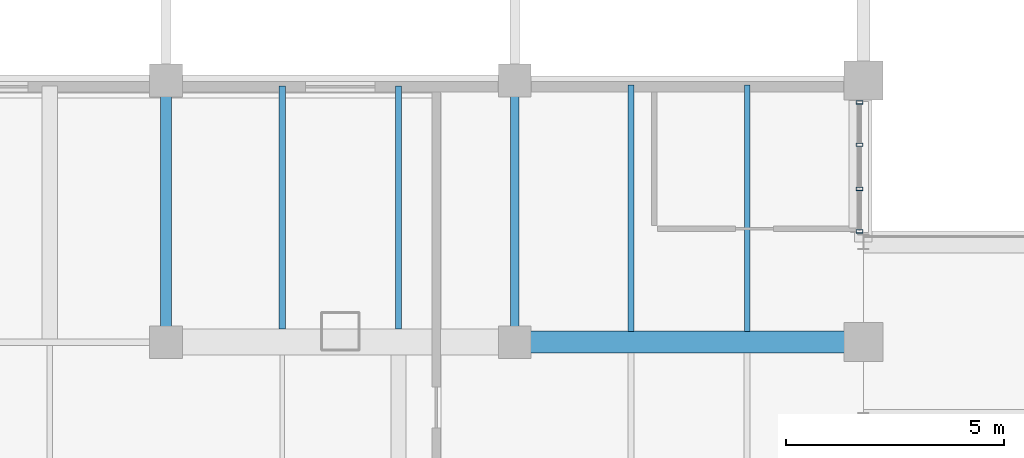
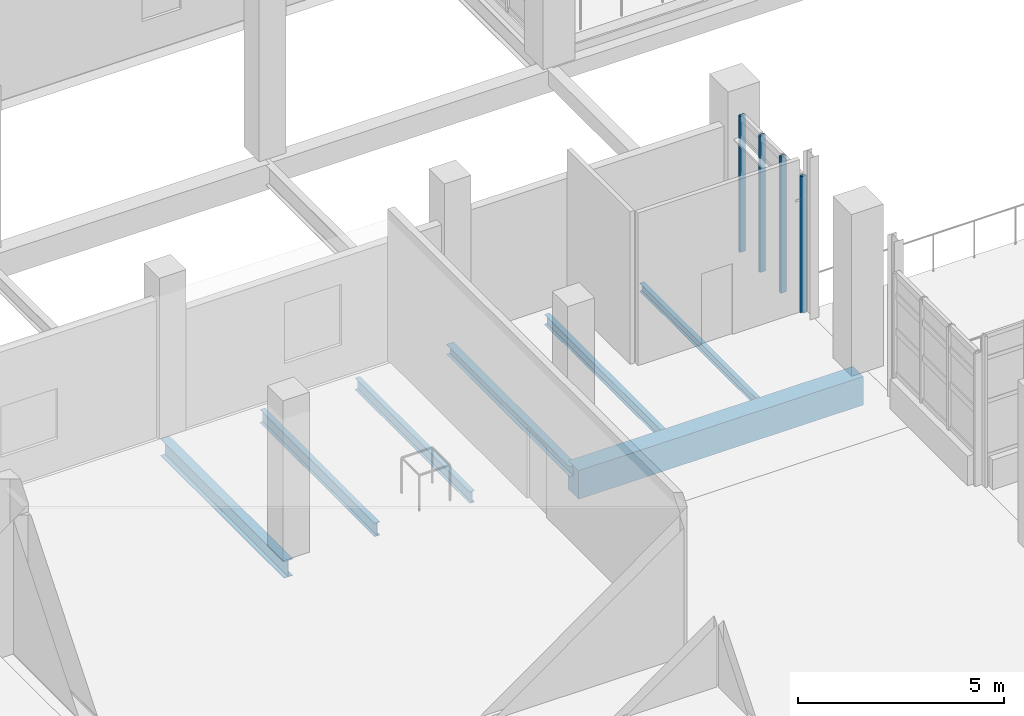
# One storey, part 28 of 127: 7 beams, 4 members, 1 element without a shape of its own.
"""IFC4 building model written with IfcOpenShell, lengths in metres."""

import ifcopenshell
import ifcopenshell.guid

model = None  # the IFC model being written
_history = None  # IfcOwnerHistory: only IFC2X3 demands one
_inside = {}  # id of a spatial element -> (the spatial element, [elements in it])
_under = {}  # id of a project, library or spatial element -> (it, [spatial elements below it])
_declared = {}  # id of a project -> (the project, [libraries it declares])
_typed = {}  # id of a type object -> (the type object, [elements of that type])
_made_of = {}  # id of a material, layer set ... -> (it, [elements and type objects made of it])


def new_model(schema):
    """Start an empty IFC model of exactly this schema.

    Asked for "IFC4X3", IfcOpenShell would pick the latest addendum, in which some entities
    have other attributes; the version numbers below select the first issue.
    IFC2X3 requires an IfcOwnerHistory on every rooted entity: one is made here for all.
    """
    global model, _history
    if schema == "IFC4X3":
        model = ifcopenshell.file(schema_version=(4, 3, 0, 0))
    else:
        model = ifcopenshell.file(schema=schema)
    _inside.clear()
    _under.clear()
    _declared.clear()
    _typed.clear()
    _made_of.clear()
    _history = None
    if model.schema == "IFC2X3":
        org = make("IfcOrganization", Name="unknown")
        user = make(
            "IfcPersonAndOrganization",
            ThePerson=make("IfcPerson", FamilyName="unknown"),
            TheOrganization=org,
        )
        app = make(
            "IfcApplication",
            ApplicationDeveloper=org,
            Version="unknown",
            ApplicationFullName="unknown",
            ApplicationIdentifier="unknown",
        )
        _history = make(
            "IfcOwnerHistory",
            OwningUser=user,
            OwningApplication=app,
            ChangeAction="ADDED",
            CreationDate=0,
        )
    return model


def make(cls, **values):
    """One entity of the class cls with the attributes given. An attribute that is None is left unset."""
    return model.create_entity(
        cls, **{name: value for name, value in values.items() if value is not None}
    )


def rooted(cls, **values):
    """An entity with a GlobalId (a new one), such as an element, a storey or a relation."""
    return make(cls, GlobalId=ifcopenshell.guid.new(), OwnerHistory=_history, **values)


def si_unit(unit_type, name, prefix=None):
    """IfcSIUnit, for example si_unit("LENGTHUNIT", "METRE", prefix="MILLI")."""
    return make("IfcSIUnit", UnitType=unit_type, Prefix=prefix, Name=name)


def derived_unit(unit_type, elements):
    """IfcDerivedUnit: a product of units, each with its exponent."""
    return make(
        "IfcDerivedUnit",
        Elements=[
            make("IfcDerivedUnitElement", Unit=unit, Exponent=power)
            for unit, power in elements
        ],
        UnitType=unit_type,
    )


def assignment(units):
    """IfcUnitAssignment: the units of a project."""
    return None if units is None else make("IfcUnitAssignment", Units=units)


def point(xyz):
    """IfcCartesianPoint."""
    return None if xyz is None else make("IfcCartesianPoint", Coordinates=xyz)


def direction(xyz):
    """IfcDirection."""
    return None if xyz is None else make("IfcDirection", DirectionRatios=xyz)


def frame(location, z_axis=None, x_axis=None):
    """IfcAxis2Placement3D, a coordinate frame: its origin and axes. An axis left out is left unset."""
    return make(
        "IfcAxis2Placement3D",
        Location=point(location),
        Axis=direction(z_axis),
        RefDirection=direction(x_axis),
    )


def frame_2d(location, x_axis=None):
    """IfcAxis2Placement2D, a coordinate frame in the plane: its origin and x axis."""
    return make(
        "IfcAxis2Placement2D", Location=point(location), RefDirection=direction(x_axis)
    )


def origin():
    """The frame at (0, 0, 0) with its axes left unset."""
    return frame((0.0, 0.0, 0.0))


def origin_2d():
    """The frame at (0, 0) in the plane with its x axis left unset."""
    return frame_2d((0.0, 0.0))


def place(relative_to, where):
    """IfcLocalPlacement: puts the frame where relative to a parent placement (None: the world)."""
    return make(
        "IfcLocalPlacement", PlacementRelTo=relative_to, RelativePlacement=where
    )


def context(
    kind, dimensions, precision=None, world=None, true_north=None, identifier=None
):
    """IfcGeometricRepresentationContext, for example the 3D "Model" context."""
    return make(
        "IfcGeometricRepresentationContext",
        ContextIdentifier=identifier,
        ContextType=kind,
        CoordinateSpaceDimension=dimensions,
        Precision=precision,
        WorldCoordinateSystem=world,
        TrueNorth=true_north,
    )


def subcontext(parent, identifier, kind, view, scale=None):
    """IfcGeometricRepresentationSubContext, for example "Body" below "Model"."""
    return make(
        "IfcGeometricRepresentationSubContext",
        ContextIdentifier=identifier,
        ContextType=kind,
        ParentContext=parent,
        TargetScale=scale,
        TargetView=view,
    )


def project(units=None, contexts=None):
    """IfcProject with its units and contexts."""
    return rooted(
        "IfcProject",
        Name="project",
        RepresentationContexts=contexts,
        UnitsInContext=assignment(units),
    )


def spatial(cls, under=None, at=None, **own):
    """A site, building, storey or space (cls), placed at a placement, below another one or the project."""
    s = rooted(cls, ObjectPlacement=at, **own)
    if under is not None:
        _under.setdefault(under.id(), (under, []))[1].append(s)
    return s


def profile(cls, at=None, kind="AREA", **sizes):
    """A parametric profile (cls). Its sizes go by their IFC names, for example OverallWidth=200.0."""
    return make(cls, ProfileType=kind, Position=at, **sizes)


def rectangle(**sizes):
    """IfcRectangleProfileDef."""
    return profile("IfcRectangleProfileDef", **sizes)


def hollow_rectangle(**sizes):
    """IfcRectangleHollowProfileDef."""
    return profile("IfcRectangleHollowProfileDef", **sizes)


def i_section(**sizes):
    """IfcIShapeProfileDef."""
    return profile("IfcIShapeProfileDef", **sizes)


def extrude(swept, where, along, depth):
    """IfcExtrudedAreaSolid: the profile swept, set in the frame where, extruded along a direction by depth."""
    return make(
        "IfcExtrudedAreaSolid",
        SweptArea=swept,
        Position=where,
        ExtrudedDirection=direction(along),
        Depth=depth,
    )


def shape(context_of_items, identifier, shape_type, items):
    """IfcShapeRepresentation: the items that make up one representation, for example the "Body"."""
    return make(
        "IfcShapeRepresentation",
        ContextOfItems=context_of_items,
        RepresentationIdentifier=identifier,
        RepresentationType=shape_type,
        Items=items,
    )


def material(Name=None, Category=None):
    """IfcMaterial."""
    return make("IfcMaterial", Name=Name, Category=Category)


def layer(
    of_material, thickness, ventilated=None, Name=None, Category=None, Priority=None
):
    """IfcMaterialLayer: one layer of a wall or slab, of a material (None: an air gap)."""
    return make(
        "IfcMaterialLayer",
        Material=of_material,
        LayerThickness=thickness,
        IsVentilated=ventilated,
        Name=Name,
        Category=Category,
        Priority=Priority,
    )


def layer_set(layers, Name=None):
    """IfcMaterialLayerSet."""
    return make("IfcMaterialLayerSet", MaterialLayers=layers, LayerSetName=Name)


def material_profile(
    of_material, cross_section, Name=None, Category=None, Priority=None
):
    """IfcMaterialProfile: a cross section and its material."""
    return make(
        "IfcMaterialProfile",
        Name=Name,
        Material=of_material,
        Profile=cross_section,
        Priority=Priority,
        Category=Category,
    )


def profile_set(profiles, Name=None, composite=None):
    """IfcMaterialProfileSet."""
    return make(
        "IfcMaterialProfileSet",
        Name=Name,
        MaterialProfiles=profiles,
        CompositeProfile=composite,
    )


def made_of(thing, what):
    """Note that an element or type object is made of a material, layer set ...; save() writes the relation."""
    if what is not None:
        _made_of.setdefault(what.id(), (what, []))[1].append(thing)
    return thing


def type_object(cls, material=None, **own):
    """A type object (cls), such as IfcWallType, which elements share."""
    return made_of(rooted(cls, **own), material)


def element(
    cls,
    number,
    at=None,
    inside=None,
    cuts=None,
    type_object=None,
    material=None,
    context=None,
    identifier="Body",
    shape_type=None,
    held_by="IfcProductDefinitionShape",
    body=None,
    shapes=None,
    **own,
):
    """One element of the class cls, such as IfcWall. Its Tag is "e" and its number.

    at: its placement. inside: the storey or other place that contains it. cuts: it is an
    opening in that element (IfcRelVoidsElement). A single representation is given by context,
    identifier, shape_type and body (its items); several are given by shapes. held_by: the class
    of the entity that holds the representations. save() writes the other relations.
    """
    e = rooted(cls, Tag="e%d" % number, ObjectPlacement=at, **own)
    if body is not None:
        shapes = [shape(context, identifier, shape_type, body)]
    if shapes is not None:
        e.Representation = make(held_by, Representations=shapes)
    if inside is not None:
        _inside.setdefault(inside.id(), (inside, []))[1].append(e)
    if cuts is not None:
        rooted(
            "IfcRelVoidsElement", RelatingBuildingElement=cuts, RelatedOpeningElement=e
        )
    if type_object is not None:
        _typed.setdefault(type_object.id(), (type_object, []))[1].append(e)
    return made_of(e, material)


def aggregate(whole, parts):
    """IfcRelAggregates: a whole, such as a stair, and the parts it consists of."""
    return rooted("IfcRelAggregates", RelatingObject=whole, RelatedObjects=parts)


def save(model, path):
    """Write the relations noted so far, then the file.

    IfcRelAggregates (storeys below a building ...), IfcRelContainedInSpatialStructure (elements
    in a storey), IfcRelDefinesByType, IfcRelAssociatesMaterial and IfcRelDeclares: one each for
    every whole, place, type object, material and project.
    """
    for whole, parts in _under.values():
        aggregate(whole, parts)
    for where, things in _inside.values():
        rooted(
            "IfcRelContainedInSpatialStructure",
            RelatedElements=things,
            RelatingStructure=where,
        )
    for kind, things in _typed.values():
        rooted("IfcRelDefinesByType", RelatedObjects=things, RelatingType=kind)
    for what, things in _made_of.values():
        rooted("IfcRelAssociatesMaterial", RelatedObjects=things, RelatingMaterial=what)
    for by, libraries in _declared.values():
        rooted("IfcRelDeclares", RelatingContext=by, RelatedDefinitions=libraries)
    model.write(path)


model = new_model("IFC4")

# Units and contexts
model_context = context("Model", 3, precision=1e-05, world=origin(), true_north=direction((0.0, 1.0)))
body_context = subcontext(model_context, "Body", "Model", "MODEL_VIEW")
ifc_project = project(units=[si_unit("LENGTHUNIT", "METRE"), si_unit("AREAUNIT", "SQUARE_METRE"), si_unit("VOLUMEUNIT", "CUBIC_METRE"), si_unit("PLANEANGLEUNIT", "RADIAN"), si_unit("MASSUNIT", "GRAM", prefix="KILO"), derived_unit("THERMALTRANSMITTANCEUNIT", [(si_unit("POWERUNIT", "WATT"), 1), (si_unit("LENGTHUNIT", "METRE"), -2), (si_unit("THERMODYNAMICTEMPERATUREUNIT", "KELVIN"), -1)])], contexts=[model_context])

# Site, building, storey
site_placement = place(None, origin())
site = spatial("IfcSite", under=ifc_project, at=site_placement, CompositionType="ELEMENT")
building_placement = place(site_placement, origin())
building = spatial("IfcBuilding", under=site, at=building_placement, Name="Nallur Shell Playhouse", CompositionType="ELEMENT")
storey_placement = place(building_placement, frame((0.0, 0.0, 5.39990234375)))
storey = spatial("IfcBuildingStorey", under=building, at=storey_placement, Name="L02", CompositionType="ELEMENT", Elevation=5.39990234375)

# Beams
ifc_material_1 = material(Name="Steel E250", Category="steel")
ifc_material_profile_1 = material_profile(ifc_material_1, i_section(OverallWidth=0.125, OverallDepth=0.25, WebThickness=0.0068359375, FlangeThickness=0.012451171875, FilletRadius=0.012939453125, at=origin_2d()), Name="ISMB 250")
ifc_profile_set_1 = profile_set([ifc_material_profile_1], Name="Steel E250")
beam_type_1 = type_object("IfcBeamType", Name="BM-JST-ISMB250", PredefinedType="JOIST", material=ifc_profile_set_1)
beam_1_placement = place(storey_placement, frame((37.333251953125, 50.248046875, -0.40478515625), z_axis=(0.0, 1.0, 0.0), x_axis=(-1.0, 0.0, 0.0)))
element("IfcBeam", 1, at=beam_1_placement, inside=storey, type_object=beam_type_1, Name="L02 secondary joist 4-F-508", PredefinedType="JOIST", context=body_context, shape_type="SweptSolid", body=[
    extrude(i_section(OverallWidth=0.125, OverallDepth=0.25, WebThickness=0.0068359375, FlangeThickness=0.012451171875, FilletRadius=0.012939453125, at=origin_2d()), origin(), (0.0, 0.0, 1.0), 5.654052734375),
])
ifc_material_profile_2 = material_profile(ifc_material_1, i_section(OverallWidth=0.139892578125, OverallDepth=0.300048828125, WebThickness=0.0078125, FlangeThickness=0.01318359375, FilletRadius=0.013916015625, at=origin_2d()), Name="ISMB 300")
ifc_profile_set_2 = profile_set([ifc_material_profile_2], Name="Steel E250")
beam_type_2 = type_object("IfcBeamType", Name="BM-JST-ISMB300", PredefinedType="JOIST", material=ifc_profile_set_2)
beam_2_placement = place(storey_placement, frame((34.666748046875, 50.248046875, -0.429931640625), z_axis=(0.0, 1.0, 0.0), x_axis=(-1.0, 0.0, 0.0)))
element("IfcBeam", 2, at=beam_2_placement, inside=storey, type_object=beam_type_2, Name="L02 secondary joist 4-F-507", PredefinedType="JOIST", context=body_context, shape_type="SweptSolid", body=[
    extrude(i_section(OverallWidth=0.139892578125, OverallDepth=0.300048828125, WebThickness=0.0078125, FlangeThickness=0.01318359375, FilletRadius=0.013916015625, at=origin_2d()), origin(), (0.0, 0.0, 1.0), 5.654052734375),
])
ifc_material_profile_3 = material_profile(ifc_material_1, i_section(OverallWidth=0.139892578125, OverallDepth=0.35009765625, WebThickness=0.008056640625, FlangeThickness=0.01416015625, FilletRadius=0.013916015625, at=origin_2d()), Name="ISMB 350")
ifc_profile_set_3 = profile_set([ifc_material_profile_3], Name="Steel E250")
beam_type_3 = type_object("IfcBeamType", Name="BM-JST-ISMB350", PredefinedType="JOIST", material=ifc_profile_set_3)
beam_3_placement = place(storey_placement, frame((29.333251953125, 50.298095703125, -0.454833984375), z_axis=(0.0, 1.0, 0.0), x_axis=(-1.0, 0.0, 0.0)))
element("IfcBeam", 3, at=beam_3_placement, inside=storey, type_object=beam_type_3, Name="L02 secondary joist 3-F-500", PredefinedType="JOIST", context=body_context, shape_type="SweptSolid", body=[
    extrude(i_section(OverallWidth=0.139892578125, OverallDepth=0.35009765625, WebThickness=0.008056640625, FlangeThickness=0.01416015625, FilletRadius=0.013916015625, at=origin_2d()), origin(), (0.0, 0.0, 1.0), 5.578857421875),
])
ifc_material_profile_4 = material_profile(ifc_material_1, i_section(OverallWidth=0.139892578125, OverallDepth=0.39990234375, WebThickness=0.0087890625, FlangeThickness=0.01611328125, FilletRadius=0.013916015625, at=origin_2d()), Name="ISMB 400")
ifc_profile_set_4 = profile_set([ifc_material_profile_4], Name="Steel E250")
beam_type_4 = type_object("IfcBeamType", Name="BM-JST-ISMB400", PredefinedType="JOIST", material=ifc_profile_set_4)
beam_4_placement = place(storey_placement, frame((26.666748046875, 50.298095703125, -0.47998046875), z_axis=(0.0, 1.0, 0.0), x_axis=(-1.0, 0.0, 0.0)))
element("IfcBeam", 4, at=beam_4_placement, inside=storey, type_object=beam_type_4, Name="L02 secondary joist 3-F-499", PredefinedType="JOIST", context=body_context, shape_type="SweptSolid", body=[
    extrude(i_section(OverallWidth=0.139892578125, OverallDepth=0.39990234375, WebThickness=0.0087890625, FlangeThickness=0.01611328125, FilletRadius=0.013916015625, at=origin_2d()), origin(), (0.0, 0.0, 1.0), 5.578857421875),
])
ifc_material_2 = material(Name="Concrete M40", Category="concrete")
ifc_material_profile_5 = material_profile(ifc_material_2, rectangle(XDim=0.5, YDim=0.85009765625, at=origin_2d()), Name="RC 500x850")
ifc_profile_set_5 = profile_set([ifc_material_profile_5], Name="Concrete M40")
beam_type_5 = type_object("IfcBeamType", Name="BM-RC-500x850", PredefinedType="BEAM", material=ifc_profile_set_5)
beam_5_placement = place(storey_placement, frame((32.0, 50.0, -0.704833984375), z_axis=(1.0, 0.0, 0.0), x_axis=(0.0, 1.0, 0.0)))
element("IfcBeam", 5, at=beam_5_placement, inside=storey, type_object=beam_type_5, Name="L02 girder X-F-349", PredefinedType="BEAM", context=body_context, shape_type="SweptSolid", body=[
    extrude(rectangle(XDim=0.5, YDim=0.85009765625, at=origin_2d()), origin(), (0.0, 0.0, 1.0), 8.0),
])
ifc_material_profile_6 = material_profile(ifc_material_1, i_section(OverallWidth=0.199951171875, OverallDepth=0.300048828125, WebThickness=0.00732421875, FlangeThickness=0.010009765625, FilletRadius=0.010986328125, at=origin_2d()), Name="ISWB 300")
ifc_profile_set_6 = profile_set([ifc_material_profile_6], Name="Steel E250")
beam_type_6 = type_object("IfcBeamType", Name="BM-ST-ISWB300", PredefinedType="BEAM", material=ifc_profile_set_6)
beam_6_placement = place(storey_placement, frame((32.0, 50.0, -0.429931640625), z_axis=(0.0, 1.0, 0.0), x_axis=(-1.0, 0.0, 0.0)))
element("IfcBeam", 6, at=beam_6_placement, inside=storey, type_object=beam_type_6, Name="L02 girder Y-4-407", PredefinedType="BEAM", context=body_context, shape_type="SweptSolid", body=[
    extrude(i_section(OverallWidth=0.199951171875, OverallDepth=0.300048828125, WebThickness=0.00732421875, FlangeThickness=0.010009765625, FilletRadius=0.010986328125, at=origin_2d()), origin(), (0.0, 0.0, 1.0), 6.0),
])
ifc_material_3 = material(Name="Steel E350", Category="steel")
ifc_material_profile_7 = material_profile(ifc_material_3, i_section(OverallWidth=0.25, OverallDepth=0.5, WebThickness=0.010009765625, FlangeThickness=0.0146484375, FilletRadius=0.014892578125, at=origin_2d()), Name="ISWB 500")
ifc_profile_set_7 = profile_set([ifc_material_profile_7], Name="Steel E350")
beam_type_7 = type_object("IfcBeamType", Name="BM-ST-ISWB500", PredefinedType="BEAM", material=ifc_profile_set_7)
beam_7_placement = place(storey_placement, frame((24.0, 50.0, -0.52978515625), z_axis=(0.0, 1.0, 0.0), x_axis=(-1.0, 0.0, 0.0)))
element("IfcBeam", 7, at=beam_7_placement, inside=storey, type_object=beam_type_7, Name="L02 girder Y-3-403", PredefinedType="BEAM", context=body_context, shape_type="SweptSolid", body=[
    extrude(i_section(OverallWidth=0.25, OverallDepth=0.5, WebThickness=0.010009765625, FlangeThickness=0.0146484375, FilletRadius=0.014892578125, at=origin_2d()), origin(), (0.0, 0.0, 1.0), 6.0),
])

# Curtain wall, members
ifc_material_4 = material(Name="Anodised Aluminium Double-Glazed Facade System", Category="aluminium")
ifc_layer = layer(ifc_material_4, 0.159912109375)
ifc_layer_set = layer_set([ifc_layer], Name="Anodised Aluminium Double-Glazed Facade System")
curtain_wall_type = type_object("IfcCurtainWallType", Name="CW-UNIT-24", PredefinedType="NOTDEFINED", material=ifc_layer_set)
curtain_wall_placement = place(storey_placement, origin())
curtain_wall = element("IfcCurtainWall", 8, at=curtain_wall_placement, inside=storey, type_object=curtain_wall_type, Name="Unitised curtain wall CW-056 (L02)", PredefinedType="NOTDEFINED")
ifc_material_5 = material(Name="Aluminium Alloy 6063-T6 Mullion", Category="aluminium")
ifc_material_profile_8 = material_profile(ifc_material_5, hollow_rectangle(XDim=0.080078125, YDim=0.159912109375, WallThickness=0.006103515625, at=origin_2d()), Name="RHS 160x80x6")
ifc_profile_set_8 = profile_set([ifc_material_profile_8], Name="Aluminium Alloy 6063-T6 Mullion")
member_type = type_object("IfcMemberType", Name="MB-CW-MUL150", PredefinedType="MULLION", material=ifc_profile_set_8)
member_1_placement = place(storey_placement, frame((39.909912109375, 55.501953125, -0.014892578125), z_axis=(0.0, 0.0, 1.0), x_axis=(0.0, -1.0, 0.0)))
member_1 = element("IfcMember", 9, at=member_1_placement, type_object=member_type, Name="CW-24 mullion 1", PredefinedType="MULLION", context=body_context, shape_type="SweptSolid", body=[
    extrude(hollow_rectangle(XDim=0.080078125, YDim=0.159912109375, WallThickness=0.006103515625, at=origin_2d()), origin(), (0.0, 0.0, 1.0), 4.0439453125),
])
member_2_placement = place(storey_placement, frame((39.909912109375, 54.528076171875, -0.014892578125), z_axis=(0.0, 0.0, 1.0), x_axis=(0.0, -1.0, 0.0)))
member_2 = element("IfcMember", 10, at=member_2_placement, type_object=member_type, Name="CW-24 mullion 2", PredefinedType="MULLION", context=body_context, shape_type="SweptSolid", body=[
    extrude(hollow_rectangle(XDim=0.080078125, YDim=0.159912109375, WallThickness=0.006103515625, at=origin_2d()), origin(), (0.0, 0.0, 1.0), 4.0439453125),
])
member_3_placement = place(storey_placement, frame((39.909912109375, 53.513916015625, -0.014892578125), z_axis=(0.0, 0.0, 1.0), x_axis=(0.0, -1.0, 0.0)))
member_3 = element("IfcMember", 11, at=member_3_placement, type_object=member_type, Name="CW-24 mullion 3", PredefinedType="MULLION", context=body_context, shape_type="SweptSolid", body=[
    extrude(hollow_rectangle(XDim=0.080078125, YDim=0.159912109375, WallThickness=0.006103515625, at=origin_2d()), origin(), (0.0, 0.0, 1.0), 4.0439453125),
])
member_4_placement = place(storey_placement, frame((39.909912109375, 52.5400390625, -0.014892578125), z_axis=(0.0, 0.0, 1.0), x_axis=(0.0, -1.0, 0.0)))
member_4 = element("IfcMember", 12, at=member_4_placement, type_object=member_type, Name="CW-24 mullion 4", PredefinedType="MULLION", context=body_context, shape_type="SweptSolid", body=[
    extrude(hollow_rectangle(XDim=0.080078125, YDim=0.159912109375, WallThickness=0.006103515625, at=origin_2d()), origin(), (0.0, 0.0, 1.0), 4.0439453125),
])
aggregate(curtain_wall, [member_1, member_2, member_3, member_4])

save(model, "model.ifc")
